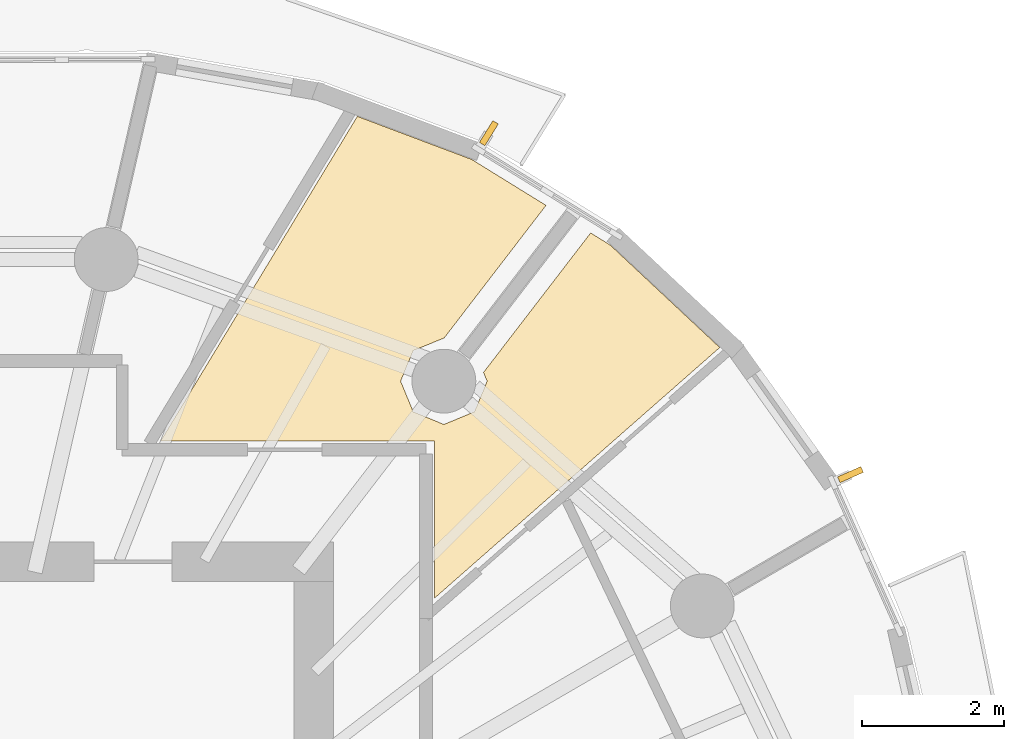
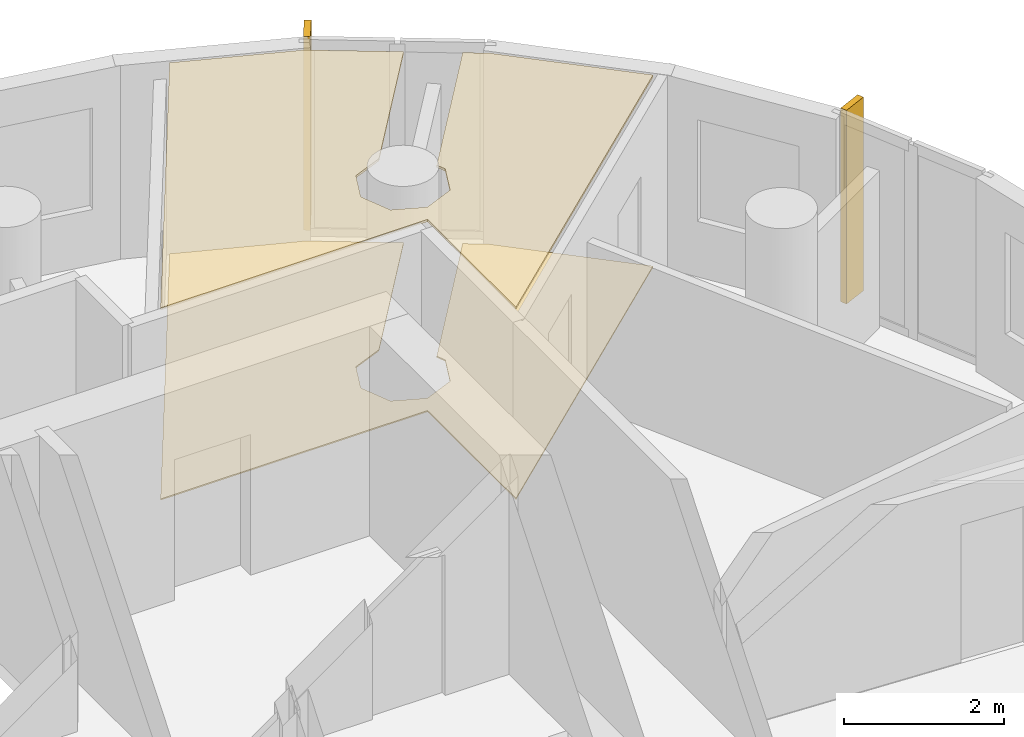
# One storey, part 10 of 10: 2 coverings, 2 shading devices.
"""IFC4 building model written with IfcOpenShell, lengths in metres."""

from ifc_helpers import new_model, si_unit, direction, frame, origin, origin_2d, place, context, subcontext, project, spatial, polyline, rectangle, outline, extrude, material, layer, layer_set, type_object, element, save


model = new_model("IFC4")

# Units and contexts
model_context = context("Model", 3, precision=1e-05, world=origin(), true_north=direction((0.0, 1.0)))
body_context = subcontext(model_context, "Body", "Model", "MODEL_VIEW")
ifc_project = project(units=[si_unit("LENGTHUNIT", "METRE"), si_unit("AREAUNIT", "SQUARE_METRE"), si_unit("VOLUMEUNIT", "CUBIC_METRE"), si_unit("PLANEANGLEUNIT", "RADIAN"), si_unit("MASSUNIT", "GRAM", prefix="KILO")], contexts=[model_context])

# Site, building, storey
site_placement = place(None, origin())
site = spatial("IfcSite", under=ifc_project, at=site_placement, CompositionType="ELEMENT")
building_placement = place(site_placement, origin())
building = spatial("IfcBuilding", under=site, at=building_placement, Name="Veldorim Arch Residences", CompositionType="ELEMENT")
storey_placement = place(building_placement, frame((0.0, 0.0, 169.43994140625)))
storey = spatial("IfcBuildingStorey", under=building, at=storey_placement, Name="L50", CompositionType="ELEMENT", Elevation=169.43994140625)

# Coverings
ifc_material_1 = material(Name="Acoustic Gypsum & Mineral Fibre", Category="gypsum")
ifc_layer_1 = layer(ifc_material_1, 0.034912109375, Name="Perforated Acoustic Mineral-Fibre Ceiling 35")
ifc_layer_set_1 = layer_set([ifc_layer_1], Name="Acoustic Gypsum & Mineral Fibre")
covering_type_1 = type_object("IfcCoveringType", Name="Perforated Acoustic Mineral-Fibre Ceiling 35", PredefinedType="CEILING", material=ifc_layer_set_1)
covering_1_placement = place(storey_placement, frame((0.0, 0.0, 2.905029296875)))
element("IfcCovering", 1, at=covering_1_placement, inside=storey, type_object=covering_type_1, Name="L50 acoustic suspended ceiling 02", PredefinedType="CEILING", context=body_context, shape_type="SweptSolid", body=[
    extrude(outline(polyline([(39.724853515625, 36.67041015625), (40.773193359375, 36.022705078125), (39.33740234375, 34.153564453125), (38.902099609375, 33.9765625), (38.7236328125, 33.54541015625), (38.902099609375, 33.114013671875), (39.33349609375, 32.935302734375), (39.764892578125, 33.114013671875), (39.943359375, 33.54541015625), (39.89208984375, 33.669189453125), (41.40185546875, 35.63427734375), (41.677734375, 35.463623046875), (43.22119140625, 34.019775390625), (39.199951171875, 30.486328125), (39.199951171875, 32.699951171875), (35.34130859375, 32.699951171875), (38.1142578125, 37.27685546875), (39.724853515625, 36.67041015625)])), origin(), (0.0, 0.0, 1.0), 0.034912109375),
])
ifc_material_2 = material(Name="Porcelain Ceramic Tile", Category="ceramic")
ifc_layer_2 = layer(ifc_material_2, 0.02001953125, Name="Slip-Resistant Porcelain & Vinyl Floor Finish 20")
ifc_layer_set_2 = layer_set([ifc_layer_2], Name="Porcelain Ceramic Tile")
covering_type_2 = type_object("IfcCoveringType", Name="Slip-Resistant Porcelain & Vinyl Floor Finish 20", PredefinedType="FLOORING", material=ifc_layer_set_2)
covering_2_placement = place(storey_placement, origin())
element("IfcCovering", 2, at=covering_2_placement, inside=storey, type_object=covering_type_2, Name="L50 porcelain floor finish 02", PredefinedType="FLOORING", context=body_context, shape_type="SweptSolid", body=[
    extrude(outline(polyline([(39.724853515625, 36.67041015625), (40.773193359375, 36.022705078125), (39.33740234375, 34.153564453125), (38.902099609375, 33.9765625), (38.7236328125, 33.54541015625), (38.902099609375, 33.114013671875), (39.33349609375, 32.935302734375), (39.764892578125, 33.114013671875), (39.943359375, 33.54541015625), (39.89208984375, 33.669189453125), (41.40185546875, 35.63427734375), (41.677734375, 35.463623046875), (43.22119140625, 34.019775390625), (39.199951171875, 30.486328125), (39.199951171875, 32.699951171875), (35.34130859375, 32.699951171875), (38.1142578125, 37.27685546875), (39.724853515625, 36.67041015625)])), origin(), (0.0, 0.0, 1.0), 0.02001953125),
])

# Shading devices
ifc_material_3 = material(Name="Terracotta Ceramic", Category="masonry")
ifc_layer_3 = layer(ifc_material_3, 0.090087890625, Name="Vertical Extruded Terracotta Baguette Sun-Shading Fin")
ifc_layer_set_3 = layer_set([ifc_layer_3], Name="Terracotta Ceramic")
shading_device_type = type_object("IfcShadingDeviceType", Name="Vertical Extruded Terracotta Baguette Sun-Shading Fin", PredefinedType="USERDEFINED", material=ifc_layer_set_3)
for number, where, z_axis, x_axis, name in (
    (3, (39.9677734375, 37.040283203125, 0.0), (0.0, 0.0, 1.0), (0.850719384362, -0.52562013762, 0.0), "L50 vertical terracotta sun-shading fin 02"),
    (4, (45.06298828125, 32.228515625, 0.0), (0.0, 0.0, 1.0), (0.407214918582, -0.913332365617, 0.0), "L50 vertical terracotta sun-shading fin 35"),
):
    element("IfcShadingDevice", number, at=place(storey_placement, frame(where, z_axis=z_axis, x_axis=x_axis)), inside=storey, type_object=shading_device_type, Name=name, ObjectType="FIN", PredefinedType="USERDEFINED", context=body_context, shape_type="SweptSolid", body=[
        extrude(rectangle(XDim=0.090087890625, YDim=0.360107421875, at=origin_2d()), origin(), (0.0, 0.0, 1.0), 2.9599609375),
    ])

save(model, "model.ifc")
